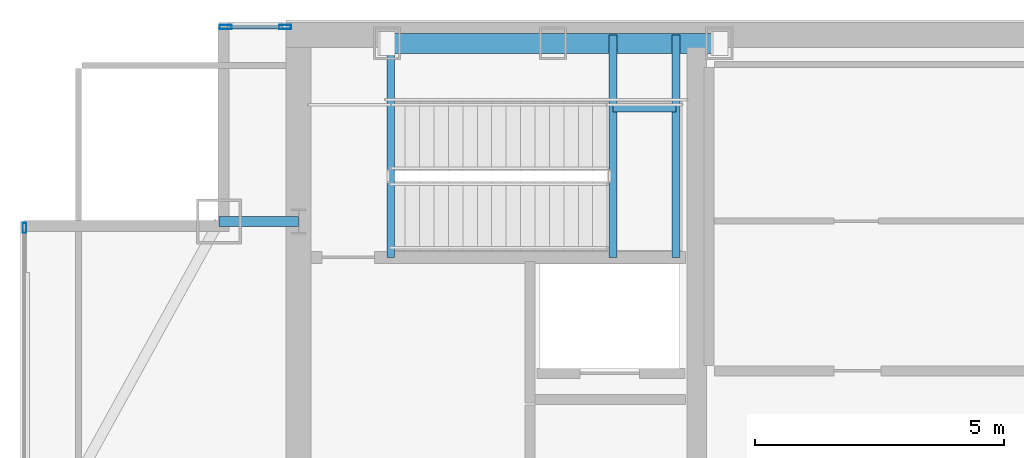
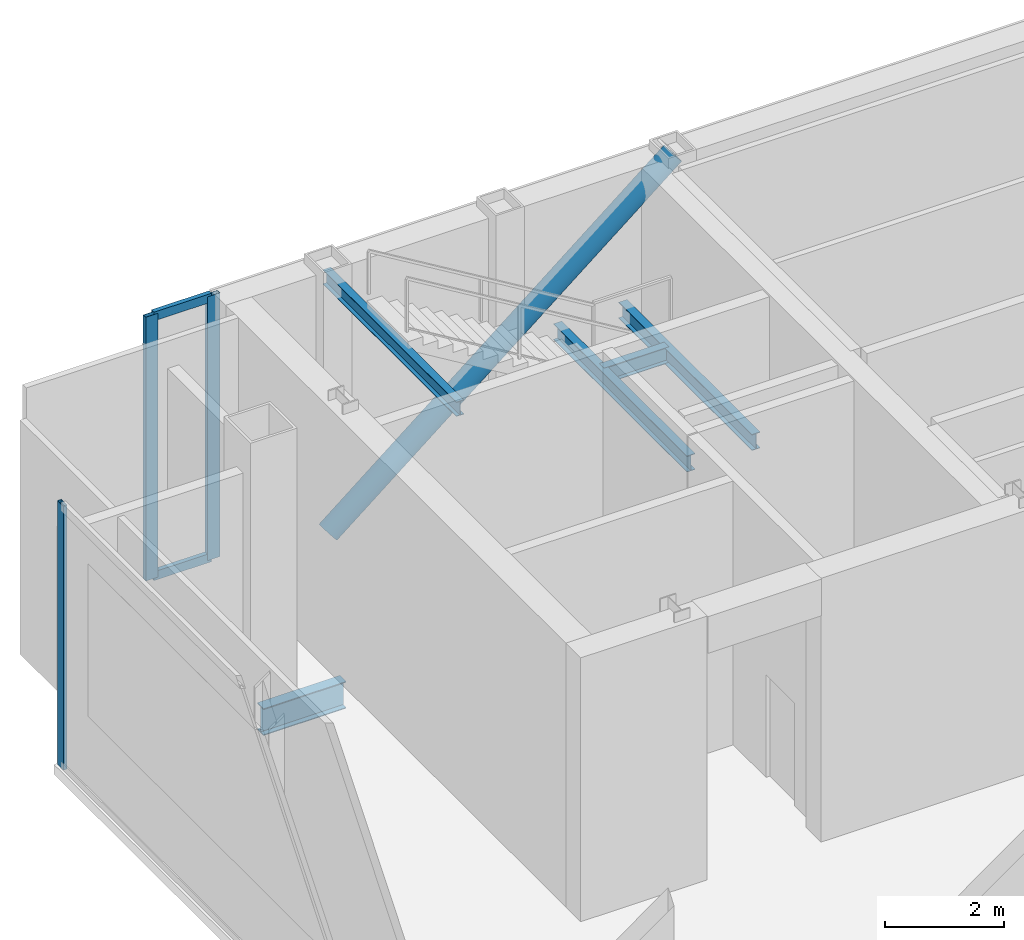
# One storey, part 16 of 22: 6 members, 5 beams, 2 elements without a shape of their own.
"""IFC4 building model written with IfcOpenShell, lengths in metres."""

from ifc_helpers import new_model, si_unit, direction, frame, origin, origin_2d, place, context, subcontext, project, spatial, hollow_rectangle, hollow_circle, i_section, extrude, material, material_profile, profile_set, type_object, element, aggregate, save


model = new_model("IFC4")

# Units and contexts
model_context = context("Model", 3, precision=1e-05, world=origin(), true_north=direction((0.0, 1.0)))
body_context = subcontext(model_context, "Body", "Model", "MODEL_VIEW")
ifc_project = project(units=[si_unit("LENGTHUNIT", "METRE"), si_unit("AREAUNIT", "SQUARE_METRE"), si_unit("VOLUMEUNIT", "CUBIC_METRE"), si_unit("PLANEANGLEUNIT", "RADIAN"), si_unit("MASSUNIT", "GRAM", prefix="KILO")], contexts=[model_context])

# Site, building, storey
site_placement = place(None, origin())
site = spatial("IfcSite", under=ifc_project, at=site_placement, CompositionType="ELEMENT")
building_placement = place(site_placement, origin())
building = spatial("IfcBuilding", under=site, at=building_placement, Name="Khoronbel Lancet Exchange", CompositionType="ELEMENT")
storey_placement = place(building_placement, frame((0.0, 0.0, 373.0)))
storey = spatial("IfcBuildingStorey", under=building, at=storey_placement, Name="L95", CompositionType="ELEMENT", Elevation=373.0)

# Beams
ifc_material_1 = material(Name="Steel S355", Category="steel")
ifc_material_profile_1 = material_profile(ifc_material_1, i_section(OverallWidth=0.159912109375, OverallDepth=0.330078125, WebThickness=0.007568359375, FlangeThickness=0.011474609375, at=origin_2d()), Name="IPE 330")
ifc_profile_set_1 = profile_set([ifc_material_profile_1], Name="Steel S355")
beam_type_1 = type_object("IfcBeamType", Name="BM-BJ7", PredefinedType="JOIST", material=ifc_profile_set_1)
for number, where, z_axis, x_axis, name in (
    (1, (22.77001953125, 48.97998046875, 2.43505859375), (0.0, 1.0, 0.0), (-1.0, 0.0, 0.0), "Level L95 stair ST1 landing bearer beam 1"),
    (2, (24.030029296875, 48.97998046875, 2.43505859375), (0.0, 1.0, 0.0), (-1.0, 0.0, 0.0), "Level L95 stair ST1 rear landing bearer beam 1"),
):
    element("IfcBeam", number, at=place(storey_placement, frame(where, z_axis=z_axis, x_axis=x_axis)), inside=storey, type_object=beam_type_1, Name=name, PredefinedType="JOIST", context=body_context, shape_type="SweptSolid", body=[
        extrude(i_section(OverallWidth=0.159912109375, OverallDepth=0.330078125, WebThickness=0.007568359375, FlangeThickness=0.011474609375, at=origin_2d()), origin(), (0.0, 0.0, 1.0), 4.469970703125),
    ])
beam_1_placement = place(storey_placement, frame((22.77001953125, 51.97998046875, 2.43505859375), z_axis=(1.0, 0.0, 0.0), x_axis=(0.0, 1.0, 0.0)))
element("IfcBeam", 3, at=beam_1_placement, inside=storey, type_object=beam_type_1, Name="Level L95 stair ST1 landing cross trimmer beam 1", PredefinedType="JOIST", context=body_context, shape_type="SweptSolid", body=[
    extrude(i_section(OverallWidth=0.159912109375, OverallDepth=0.330078125, WebThickness=0.007568359375, FlangeThickness=0.011474609375, at=origin_2d()), origin(), (0.0, 0.0, 1.0), 1.260009765625),
])
ifc_material_profile_2 = material_profile(ifc_material_1, i_section(OverallWidth=0.14990234375, OverallDepth=0.300048828125, WebThickness=0.007080078125, FlangeThickness=0.0107421875, at=origin_2d()), Name="IPE 300")
ifc_profile_set_2 = profile_set([ifc_material_profile_2], Name="Steel S355")
beam_type_2 = type_object("IfcBeamType", Name="BM-BJ8", PredefinedType="JOIST", material=ifc_profile_set_2)
beam_2_placement = place(storey_placement, frame((18.300048828125, 48.97998046875, 5.1201171875), z_axis=(0.0, 1.0, 0.0), x_axis=(-1.0, 0.0, 0.0)))
element("IfcBeam", 4, at=beam_2_placement, inside=storey, type_object=beam_type_2, Name="Level L95 stair ST1 upper-flight arrival trimmer beam", PredefinedType="JOIST", context=body_context, shape_type="SweptSolid", body=[
    extrude(i_section(OverallWidth=0.14990234375, OverallDepth=0.300048828125, WebThickness=0.007080078125, FlangeThickness=0.0107421875, at=origin_2d()), origin(), (0.0, 0.0, 1.0), 4.469970703125),
])
ifc_material_profile_3 = material_profile(ifc_material_1, i_section(OverallWidth=0.2099609375, OverallDepth=0.550048828125, WebThickness=0.010986328125, FlangeThickness=0.01708984375, at=origin_2d()), Name="IPE 550")
ifc_profile_set_3 = profile_set([ifc_material_profile_3], Name="Steel S355")
beam_type_3 = type_object("IfcBeamType", Name="BM-BSP3", PredefinedType="SPANDREL", material=ifc_profile_set_3)
beam_3_placement = place(storey_placement, frame((14.85009765625, 49.699951171875, -0.47509765625), z_axis=(1.0, 0.0, 0.0), x_axis=(0.0, 1.0, 0.0)))
element("IfcBeam", 5, at=beam_3_placement, inside=storey, type_object=beam_type_3, Name="Level L95 north flank tie spandrel SP20", PredefinedType="SPANDREL", context=body_context, shape_type="SweptSolid", body=[
    extrude(i_section(OverallWidth=0.2099609375, OverallDepth=0.550048828125, WebThickness=0.010986328125, FlangeThickness=0.01708984375, at=origin_2d()), origin(), (0.0, 0.0, 1.0), 1.599853515625),
])

# Curtain wall, members
ifc_material_2 = material(Name="Low-E Solar Control Insulating Glass", Category="glass")
curtain_wall_type = type_object("IfcCurtainWallType", Name="CW-6", PredefinedType="NOTDEFINED", material=ifc_material_2)
curtain_wall_1_placement = place(storey_placement, origin())
curtain_wall_1 = element("IfcCurtainWall", 6, at=curtain_wall_1_placement, inside=storey, type_object=curtain_wall_type, Name="Unitised curtain wall CW-L95-NWFLK", PredefinedType="NOTDEFINED")
ifc_material_3 = material(Name="Bronze-Anodised Aluminium 6063-T6", Category="aluminium")
ifc_material_profile_4 = material_profile(ifc_material_3, hollow_rectangle(XDim=0.0849609375, YDim=0.239990234375, WallThickness=0.006103515625, at=origin_2d()), Name="ALU MULLION 85x240")
ifc_profile_set_4 = profile_set([ifc_material_profile_4], Name="Bronze-Anodised Aluminium 6063-T6")
member_type_1 = type_object("IfcMemberType", Name="MEM-CWM1", PredefinedType="MULLION", material=ifc_profile_set_4)
member_1_placement = place(storey_placement, frame((16.177490234375, 53.610107421875, 0.0), z_axis=(0.0, 0.0, 1.0), x_axis=(0.0, -1.0, 0.0)))
member_1 = element("IfcMember", 7, at=member_1_placement, type_object=member_type_1, Name="CW6 mullion 1", PredefinedType="MULLION", context=body_context, shape_type="SweptSolid", body=[
    extrude(hollow_rectangle(XDim=0.0849609375, YDim=0.239990234375, WallThickness=0.006103515625, at=origin_2d()), origin(), (0.0, 0.0, 1.0), 5.39990234375),
])
member_2_placement = place(storey_placement, frame((14.982421875, 53.610107421875, 0.0), z_axis=(0.0, 0.0, 1.0), x_axis=(0.0, -1.0, 0.0)))
member_2 = element("IfcMember", 8, at=member_2_placement, type_object=member_type_1, Name="CW6 mullion 2", PredefinedType="MULLION", context=body_context, shape_type="SweptSolid", body=[
    extrude(hollow_rectangle(XDim=0.0849609375, YDim=0.239990234375, WallThickness=0.006103515625, at=origin_2d()), origin(), (0.0, 0.0, 1.0), 5.39990234375),
])

# Curtain wall, member
curtain_wall_2_placement = place(storey_placement, origin())
curtain_wall_2 = element("IfcCurtainWall", 9, at=curtain_wall_2_placement, inside=storey, type_object=curtain_wall_type, Name="Unitised curtain wall CW-L95-E03", PredefinedType="NOTDEFINED")
ifc_material_profile_5 = material_profile(ifc_material_3, hollow_rectangle(XDim=0.074951171875, YDim=0.199951171875, WallThickness=0.0048828125, at=origin_2d()), Name="ALU MULLION 75x200")
ifc_profile_set_5 = profile_set([ifc_material_profile_5], Name="Bronze-Anodised Aluminium 6063-T6")
member_type_2 = type_object("IfcMemberType", Name="MEM-CWM2", PredefinedType="MULLION", material=ifc_profile_set_5)
member_3_placement = place(storey_placement, frame((10.93994140625, 49.572509765625, 0.0), z_axis=(0.0, 0.0, 1.0), x_axis=(-1.0, 0.0, 0.0)))
member_3 = element("IfcMember", 10, at=member_3_placement, type_object=member_type_2, Name="CW6 mullion 3", PredefinedType="MULLION", context=body_context, shape_type="SweptSolid", body=[
    extrude(hollow_rectangle(XDim=0.074951171875, YDim=0.199951171875, WallThickness=0.0048828125, at=origin_2d()), origin(), (0.0, 0.0, 1.0), 5.39990234375),
])
aggregate(curtain_wall_2, [member_3])

# Member
ifc_material_profile_6 = material_profile(ifc_material_3, hollow_rectangle(XDim=0.0849609375, YDim=0.179931640625, WallThickness=0.0048828125, at=origin_2d()), Name="ALU TRANSOM 85x180")
ifc_profile_set_6 = profile_set([ifc_material_profile_6], Name="Bronze-Anodised Aluminium 6063-T6")
member_type_3 = type_object("IfcMemberType", Name="MEM-CWT1", PredefinedType="USERDEFINED", material=ifc_profile_set_6)
member_4_placement = place(storey_placement, frame((16.135009765625, 53.610107421875, 0.04248046875), z_axis=(-1.0, 0.0, 0.0), x_axis=(0.0, -1.0, 0.0)))
member_4 = element("IfcMember", 11, at=member_4_placement, type_object=member_type_3, Name="CW6 transom 1.1", ObjectType="TRANSOM", PredefinedType="USERDEFINED", context=body_context, shape_type="SweptSolid", body=[
    extrude(hollow_rectangle(XDim=0.0849609375, YDim=0.179931640625, WallThickness=0.0048828125, at=origin_2d()), origin(), (0.0, 0.0, 1.0), 1.110107421875),
])

member_5_placement = place(storey_placement, frame((16.135009765625, 53.610107421875, 5.357421875), z_axis=(-1.0, 0.0, 0.0), x_axis=(0.0, -1.0, 0.0)))
member_5 = element("IfcMember", 12, at=member_5_placement, type_object=member_type_3, Name="CW6 transom 1.2", ObjectType="TRANSOM", PredefinedType="USERDEFINED", context=body_context, shape_type="SweptSolid", body=[
    extrude(hollow_rectangle(XDim=0.0849609375, YDim=0.179931640625, WallThickness=0.0048828125, at=origin_2d()), origin(), (0.0, 0.0, 1.0), 1.110107421875),
])

aggregate(curtain_wall_1, [member_1, member_2, member_4, member_5])

ifc_material_profile_7 = material_profile(ifc_material_1, hollow_circle(Radius=0.203125, WallThickness=0.02001953125, at=origin_2d()), Name="CHS 406.4x20")
ifc_profile_set_7 = profile_set([ifc_material_profile_7], Name="Steel S355")
member_type_4 = type_object("IfcMemberType", Name="MEM-STR2", PredefinedType="STRUT", material=ifc_profile_set_7)
member_6_placement = place(storey_placement, frame((18.22509765625, 53.280029296875, 0.0), z_axis=(0.776305042624, 0.0, 0.630357423052), x_axis=(0.0, 1.0, 0.0)))
element("IfcMember", 13, at=member_6_placement, inside=storey, type_object=member_type_4, Name="CROWN FRAME diagonal ring brace L95-N1", PredefinedType="STRUT", context=body_context, shape_type="SweptSolid", body=[
    extrude(hollow_circle(Radius=0.203125, WallThickness=0.02001953125, at=origin_2d()), origin(), (0.0, 0.0, 1.0), 8.59814453125),
])

save(model, "model.ifc")
